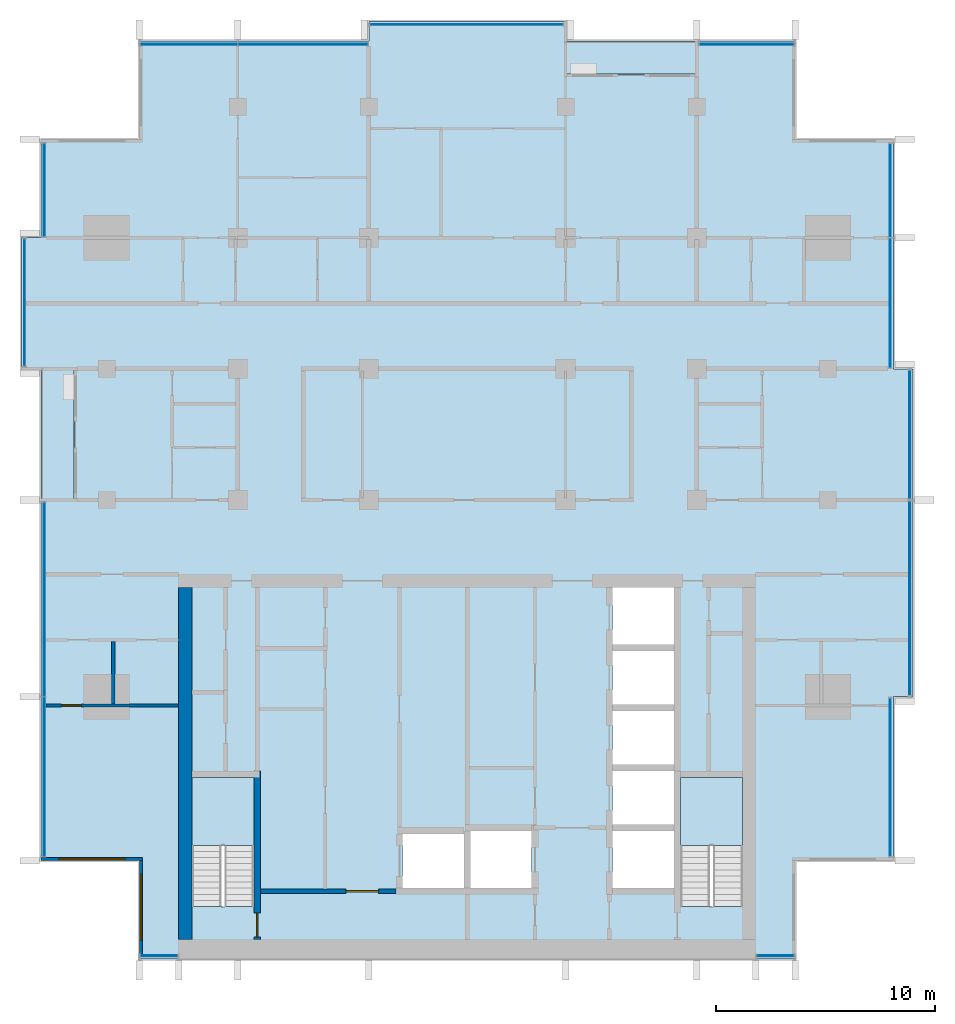
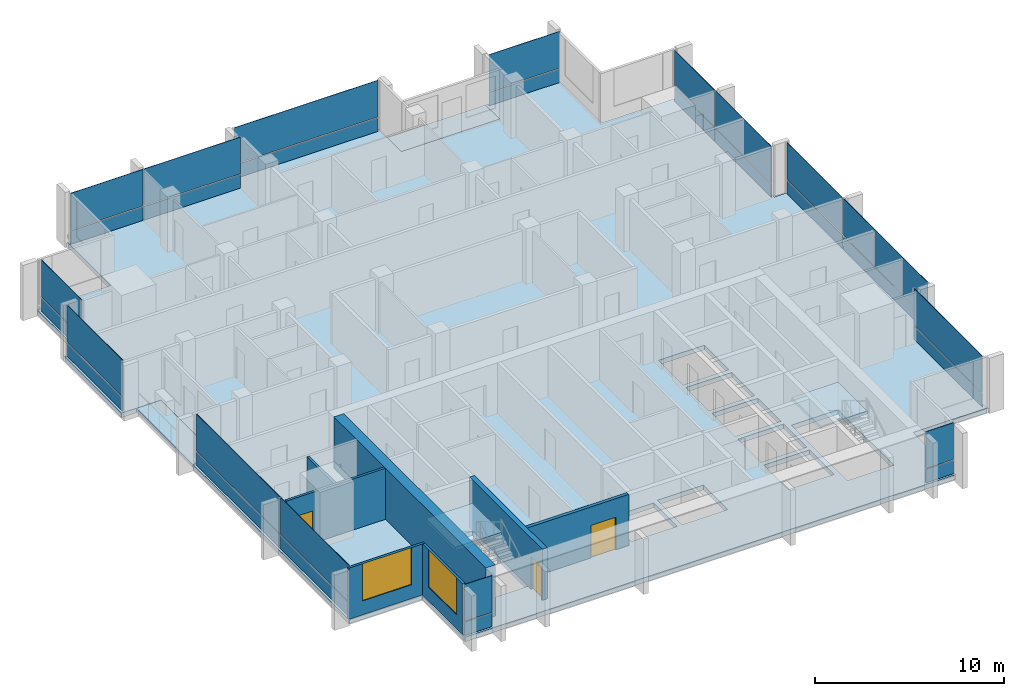
# One storey, part 6 of 16: 30 plates, 7 walls, 5 slabs, 3 doors, 2 windows, 5 openings, 14 elements without a shape of their own.
"""IFC4 building model written with IfcOpenShell, lengths in metres."""

from ifc_helpers import new_model, si_unit, direction, frame, frame_2d, origin, origin_2d, place, context, subcontext, project, spatial, polyline, rectangle, outline, extrude, material, layer, layer_set, type_object, element, fill, aggregate, save


model = new_model("IFC4")

# Units and contexts
model_context = context("Model", 3, precision=1e-05, world=origin(), true_north=direction((0.0, 1.0)))
body_context = subcontext(model_context, "Body", "Model", "MODEL_VIEW")
ifc_project = project(units=[si_unit("LENGTHUNIT", "METRE"), si_unit("AREAUNIT", "SQUARE_METRE"), si_unit("VOLUMEUNIT", "CUBIC_METRE"), si_unit("PLANEANGLEUNIT", "RADIAN"), si_unit("MASSUNIT", "GRAM", prefix="KILO")], contexts=[model_context])

# Site, building, storey
site_placement = place(None, origin())
site = spatial("IfcSite", under=ifc_project, at=site_placement, CompositionType="ELEMENT")
building_placement = place(site_placement, origin())
building = spatial("IfcBuilding", under=site, at=building_placement, Name="Finial Court Residences", CompositionType="ELEMENT")
storey_placement = place(building_placement, frame((0.0, 0.0, 233.89990234375)))
storey = spatial("IfcBuildingStorey", under=building, at=storey_placement, Name="L59", CompositionType="ELEMENT", Elevation=233.89990234375)

# Slabs
ifc_material_1 = material(Name="Concrete C35/45", Category="concrete")
ifc_layer_1 = layer(ifc_material_1, 0.199951171875)
ifc_layer_set_1 = layer_set([ifc_layer_1], Name="Balcony slab, Concrete C35/45 200")
slab_type_1 = type_object("IfcSlabType", Name="Balcony slab, Concrete C35/45 200", PredefinedType="FLOOR", material=ifc_layer_set_1)
slab_1_placement = place(storey_placement, frame((0.0, 0.0, -0.199951171875)))
element("IfcSlab", 1, at=slab_1_placement, inside=storey, type_object=slab_type_1, Name="Balcony L59-N4", PredefinedType="FLOOR", context=body_context, shape_type="SweptSolid", body=[
    extrude(outline(polyline([(10.5, 15.0), (10.5, 16.5), (4.5, 16.5), (4.5, 15.0), (10.5, 15.0)])), origin(), (0.0, 0.0, 1.0), 0.199951171875),
])
slab_2_placement = place(storey_placement, frame((0.0, 0.0, -0.199951171875)))
element("IfcSlab", 2, at=slab_2_placement, inside=storey, type_object=slab_type_1, Name="Balcony L59-W3", PredefinedType="FLOOR", context=body_context, shape_type="SweptSolid", body=[
    extrude(outline(polyline([(-18.0, -4.5), (-18.0, 1.5), (-19.5, 1.5), (-19.5, -4.5), (-18.0, -4.5)])), origin(), (0.0, 0.0, 1.0), 0.199951171875),
])

# Curtain wall, plates
ifc_material_2 = material(Name="Bronze anodised aluminium", Category="aluminium")
curtain_wall_type = type_object("IfcCurtainWallType", Name="Unitised curtain wall, upper zones", PredefinedType="NOTDEFINED", material=ifc_material_2)
curtain_wall_1_placement = place(storey_placement, origin())
curtain_wall_1 = element("IfcCurtainWall", 3, at=curtain_wall_1_placement, inside=storey, type_object=curtain_wall_type, Name="E-L59-CW-N1", PredefinedType="NOTDEFINED")
ifc_layer_2 = layer(ifc_material_2, 0.035888671875)
ifc_layer_set_2 = layer_set([ifc_layer_2], Name="CW2 spandrel panel 36")
plate_type_1 = type_object("IfcPlateType", Name="CW2 spandrel panel 36", PredefinedType="CURTAIN_PANEL", material=ifc_layer_set_2)
plate_1_placement = place(storey_placement, frame((-12.735107421875, 16.35009765625, 0.0), z_axis=(0.0, 0.0, 1.0), x_axis=(1.0, 0.0, 0.0)))
plate_1 = element("IfcPlate", 4, at=plate_1_placement, type_object=plate_type_1, Name="CW2 spandrel 1.1", PredefinedType="CURTAIN_PANEL", context=body_context, shape_type="SweptSolid", body=[
    extrude(rectangle(XDim=4.409912109375, YDim=0.035888671875, at=origin_2d()), origin(), (0.0, 0.0, 1.0), 0.8701171875),
])
plate_2_placement = place(storey_placement, frame((-7.514892578125, 16.35009765625, 0.0), z_axis=(0.0, 0.0, 1.0), x_axis=(1.0, 0.0, 0.0)))
plate_2 = element("IfcPlate", 5, at=plate_2_placement, type_object=plate_type_1, Name="CW2 spandrel 2.1", PredefinedType="CURTAIN_PANEL", context=body_context, shape_type="SweptSolid", body=[
    extrude(rectangle(XDim=5.909912109375, YDim=0.035888671875, at=origin_2d()), origin(), (0.0, 0.0, 1.0), 0.8701171875),
])

# Curtain wall, plate
curtain_wall_2_placement = place(storey_placement, origin())
curtain_wall_2 = element("IfcCurtainWall", 6, at=curtain_wall_2_placement, inside=storey, type_object=curtain_wall_type, Name="E-L59-CW-N2", PredefinedType="NOTDEFINED")
plate_3_placement = place(storey_placement, frame((-0.03759765625, 17.25, 0.0), z_axis=(0.0, 0.0, 1.0), x_axis=(1.0, 0.0, 0.0)))
plate_3 = element("IfcPlate", 7, at=plate_3_placement, type_object=plate_type_1, Name="CW2 spandrel 1.1", PredefinedType="CURTAIN_PANEL", context=body_context, shape_type="SweptSolid", body=[
    extrude(rectangle(XDim=8.804931640625, YDim=0.035888671875, at=origin_2d()), origin(), (0.0, 0.0, 1.0), 0.8701171875),
])

curtain_wall_3_placement = place(storey_placement, origin())
curtain_wall_3 = element("IfcCurtainWall", 8, at=curtain_wall_3_placement, inside=storey, type_object=curtain_wall_type, Name="E-L59-CW-N3", PredefinedType="NOTDEFINED")
plate_4_placement = place(storey_placement, frame((12.78759765625, 16.35009765625, 0.0), z_axis=(0.0, 0.0, 1.0), x_axis=(1.0, 0.0, 0.0)))
plate_4 = element("IfcPlate", 9, at=plate_4_placement, type_object=plate_type_1, Name="CW2 spandrel 1.1", PredefinedType="CURTAIN_PANEL", context=body_context, shape_type="SweptSolid", body=[
    extrude(rectangle(XDim=4.304931640625, YDim=0.035888671875, at=origin_2d()), origin(), (0.0, 0.0, 1.0), 0.8701171875),
])

curtain_wall_4_placement = place(storey_placement, origin())
curtain_wall_4 = element("IfcCurtainWall", 10, at=curtain_wall_4_placement, inside=storey, type_object=curtain_wall_type, Name="E-L59-CW-E4", PredefinedType="NOTDEFINED")
plate_5_placement = place(storey_placement, frame((19.35009765625, -17.175048828125, 0.0), z_axis=(0.0, 0.0, 1.0), x_axis=(0.0, 1.0, 0.0)))
plate_5 = element("IfcPlate", 11, at=plate_5_placement, type_object=plate_type_1, Name="CW2 spandrel 1.1", PredefinedType="CURTAIN_PANEL", context=body_context, shape_type="SweptSolid", body=[
    extrude(rectangle(XDim=7.22998046875, YDim=0.035888671875, at=origin_2d()), origin(), (0.0, 0.0, 1.0), 0.8701171875),
])

curtain_wall_5_placement = place(storey_placement, origin())
curtain_wall_5 = element("IfcCurtainWall", 12, at=curtain_wall_5_placement, inside=storey, type_object=curtain_wall_type, Name="E-L59-CW-E5", PredefinedType="NOTDEFINED")
plate_6_placement = place(storey_placement, frame((20.25, -9.0, 0.0), z_axis=(0.0, 0.0, 1.0), x_axis=(0.0, 1.0, 0.0)))
plate_6 = element("IfcPlate", 13, at=plate_6_placement, type_object=plate_type_1, Name="CW2 spandrel 1.1", PredefinedType="CURTAIN_PANEL", context=body_context, shape_type="SweptSolid", body=[
    extrude(rectangle(XDim=8.8798828125, YDim=0.035888671875, at=origin_2d()), origin(), (0.0, 0.0, 1.0), 0.8701171875),
])

curtain_wall_6_placement = place(storey_placement, origin())
curtain_wall_6 = element("IfcCurtainWall", 14, at=curtain_wall_6_placement, inside=storey, type_object=curtain_wall_type, Name="E-L59-CW-E6", PredefinedType="NOTDEFINED")
plate_7_placement = place(storey_placement, frame((20.25, -1.5, 0.0), z_axis=(0.0, 0.0, 1.0), x_axis=(0.0, 1.0, 0.0)))
plate_7 = element("IfcPlate", 15, at=plate_7_placement, type_object=plate_type_1, Name="CW2 spandrel 1.1", PredefinedType="CURTAIN_PANEL", context=body_context, shape_type="SweptSolid", body=[
    extrude(rectangle(XDim=5.8798828125, YDim=0.035888671875, at=origin_2d()), origin(), (0.0, 0.0, 1.0), 0.8701171875),
])

# Curtain wall, plates
curtain_wall_7_placement = place(storey_placement, origin())
curtain_wall_7 = element("IfcCurtainWall", 16, at=curtain_wall_7_placement, inside=storey, type_object=curtain_wall_type, Name="E-L59-CW-E7", PredefinedType="NOTDEFINED")
plate_8_placement = place(storey_placement, frame((19.35009765625, 4.514892578125, 0.0), z_axis=(0.0, 0.0, 1.0), x_axis=(0.0, 1.0, 0.0)))
plate_8 = element("IfcPlate", 17, at=plate_8_placement, type_object=plate_type_1, Name="CW2 spandrel 1.1", PredefinedType="CURTAIN_PANEL", context=body_context, shape_type="SweptSolid", body=[
    extrude(rectangle(XDim=5.909912109375, YDim=0.035888671875, at=origin_2d()), origin(), (0.0, 0.0, 1.0), 0.8701171875),
])
plate_9_placement = place(storey_placement, frame((19.35009765625, 9.659912109375, 0.0), z_axis=(0.0, 0.0, 1.0), x_axis=(0.0, 1.0, 0.0)))
plate_9 = element("IfcPlate", 18, at=plate_9_placement, type_object=plate_type_1, Name="CW2 spandrel 2.1", PredefinedType="CURTAIN_PANEL", context=body_context, shape_type="SweptSolid", body=[
    extrude(rectangle(XDim=4.260009765625, YDim=0.035888671875, at=origin_2d()), origin(), (0.0, 0.0, 1.0), 0.8701171875),
])

# Curtain wall, plate
curtain_wall_8_placement = place(storey_placement, origin())
curtain_wall_8 = element("IfcCurtainWall", 19, at=curtain_wall_8_placement, inside=storey, type_object=curtain_wall_type, Name="E-L59-CW-S8", PredefinedType="NOTDEFINED")
plate_10_placement = place(storey_placement, frame((-14.10009765625, -25.35009765625, 0.0), z_axis=(0.0, 0.0, 1.0), x_axis=(1.0, 0.0, 0.0)))
plate_10 = element("IfcPlate", 20, at=plate_10_placement, type_object=plate_type_1, Name="CW2 spandrel 1.1", PredefinedType="CURTAIN_PANEL", context=body_context, shape_type="SweptSolid", body=[
    extrude(rectangle(XDim=1.679931640625, YDim=0.035888671875, at=origin_2d()), origin(), (0.0, 0.0, 1.0), 0.8701171875),
])

curtain_wall_9_placement = place(storey_placement, origin())
curtain_wall_9 = element("IfcCurtainWall", 21, at=curtain_wall_9_placement, inside=storey, type_object=curtain_wall_type, Name="E-L59-CW-S9", PredefinedType="NOTDEFINED")
plate_11_placement = place(storey_placement, frame((14.10009765625, -25.35009765625, 0.0), z_axis=(0.0, 0.0, 1.0), x_axis=(1.0, 0.0, 0.0)))
plate_11 = element("IfcPlate", 22, at=plate_11_placement, type_object=plate_type_1, Name="CW2 spandrel 1.1", PredefinedType="CURTAIN_PANEL", context=body_context, shape_type="SweptSolid", body=[
    extrude(rectangle(XDim=1.679931640625, YDim=0.035888671875, at=origin_2d()), origin(), (0.0, 0.0, 1.0), 0.8701171875),
])

# Curtain wall, plates
curtain_wall_10_placement = place(storey_placement, origin())
curtain_wall_10 = element("IfcCurtainWall", 23, at=curtain_wall_10_placement, inside=storey, type_object=curtain_wall_type, Name="E-L59-CW-W10", PredefinedType="NOTDEFINED")
plate_12_placement = place(storey_placement, frame((-19.35009765625, -17.159912109375, 0.0), z_axis=(0.0, 0.0, 1.0), x_axis=(0.0, 1.0, 0.0)))
plate_12 = element("IfcPlate", 24, at=plate_12_placement, type_object=plate_type_1, Name="CW2 spandrel 1.1", PredefinedType="CURTAIN_PANEL", context=body_context, shape_type="SweptSolid", body=[
    extrude(rectangle(XDim=7.260009765625, YDim=0.035888671875, at=origin_2d()), origin(), (0.0, 0.0, 1.0), 0.8701171875),
])
plate_13_placement = place(storey_placement, frame((-19.35009765625, -9.052490234375, 0.0), z_axis=(0.0, 0.0, 1.0), x_axis=(0.0, 1.0, 0.0)))
plate_13 = element("IfcPlate", 25, at=plate_13_placement, type_object=plate_type_1, Name="CW2 spandrel 2.1", PredefinedType="CURTAIN_PANEL", context=body_context, shape_type="SweptSolid", body=[
    extrude(rectangle(XDim=8.8349609375, YDim=0.035888671875, at=origin_2d()), origin(), (0.0, 0.0, 1.0), 0.8701171875),
])

# Curtain wall, plate
curtain_wall_11_placement = place(storey_placement, origin())
curtain_wall_11 = element("IfcCurtainWall", 26, at=curtain_wall_11_placement, inside=storey, type_object=curtain_wall_type, Name="E-L59-CW-W11", PredefinedType="NOTDEFINED")
plate_14_placement = place(storey_placement, frame((-20.25, 4.53759765625, 0.0), z_axis=(0.0, 0.0, 1.0), x_axis=(0.0, 1.0, 0.0)))
plate_14 = element("IfcPlate", 27, at=plate_14_placement, type_object=plate_type_1, Name="CW2 spandrel 1.1", PredefinedType="CURTAIN_PANEL", context=body_context, shape_type="SweptSolid", body=[
    extrude(rectangle(XDim=5.804931640625, YDim=0.035888671875, at=origin_2d()), origin(), (0.0, 0.0, 1.0), 0.8701171875),
])

curtain_wall_12_placement = place(storey_placement, origin())
curtain_wall_12 = element("IfcCurtainWall", 28, at=curtain_wall_12_placement, inside=storey, type_object=curtain_wall_type, Name="E-L59-CW-W12", PredefinedType="NOTDEFINED")
plate_15_placement = place(storey_placement, frame((-19.35009765625, 9.675048828125, 0.0), z_axis=(0.0, 0.0, 1.0), x_axis=(0.0, 1.0, 0.0)))
plate_15 = element("IfcPlate", 29, at=plate_15_placement, type_object=plate_type_1, Name="CW2 spandrel 1.1", PredefinedType="CURTAIN_PANEL", context=body_context, shape_type="SweptSolid", body=[
    extrude(rectangle(XDim=4.22998046875, YDim=0.035888671875, at=origin_2d()), origin(), (0.0, 0.0, 1.0), 0.8701171875),
])

# Plate
ifc_material_3 = material(Name="Clear low-e glass", Category="glass")
ifc_layer_3 = layer(ifc_material_3, 0.030029296875)
ifc_layer_set_3 = layer_set([ifc_layer_3], Name="CW2 vision glass 30")
plate_type_2 = type_object("IfcPlateType", Name="CW2 vision glass 30", PredefinedType="CURTAIN_PANEL", material=ifc_layer_set_3)
plate_16_placement = place(storey_placement, frame((-12.735107421875, 16.35009765625, 0.929931640625), z_axis=(0.0, 0.0, 1.0), x_axis=(1.0, 0.0, 0.0)))
plate_16 = element("IfcPlate", 30, at=plate_16_placement, type_object=plate_type_2, Name="CW2 glass 1.2", PredefinedType="CURTAIN_PANEL", context=body_context, shape_type="SweptSolid", body=[
    extrude(rectangle(XDim=4.409912109375, YDim=0.030029296875, at=origin_2d()), origin(), (0.0, 0.0, 1.0), 2.3701171875),
])

plate_17_placement = place(storey_placement, frame((-7.514892578125, 16.35009765625, 0.929931640625), z_axis=(0.0, 0.0, 1.0), x_axis=(1.0, 0.0, 0.0)))
plate_17 = element("IfcPlate", 31, at=plate_17_placement, type_object=plate_type_2, Name="CW2 glass 2.2", PredefinedType="CURTAIN_PANEL", context=body_context, shape_type="SweptSolid", body=[
    extrude(rectangle(XDim=5.909912109375, YDim=0.030029296875, at=origin_2d()), origin(), (0.0, 0.0, 1.0), 2.3701171875),
])

aggregate(curtain_wall_1, [plate_1, plate_16, plate_2, plate_17])

plate_18_placement = place(storey_placement, frame((-0.03759765625, 17.25, 0.929931640625), z_axis=(0.0, 0.0, 1.0), x_axis=(1.0, 0.0, 0.0)))
plate_18 = element("IfcPlate", 32, at=plate_18_placement, type_object=plate_type_2, Name="CW2 glass 1.2", PredefinedType="CURTAIN_PANEL", context=body_context, shape_type="SweptSolid", body=[
    extrude(rectangle(XDim=8.804931640625, YDim=0.030029296875, at=origin_2d()), origin(), (0.0, 0.0, 1.0), 2.3701171875),
])

aggregate(curtain_wall_2, [plate_3, plate_18])

plate_19_placement = place(storey_placement, frame((12.78759765625, 16.35009765625, 0.929931640625), z_axis=(0.0, 0.0, 1.0), x_axis=(1.0, 0.0, 0.0)))
plate_19 = element("IfcPlate", 33, at=plate_19_placement, type_object=plate_type_2, Name="CW2 glass 1.2", PredefinedType="CURTAIN_PANEL", context=body_context, shape_type="SweptSolid", body=[
    extrude(rectangle(XDim=4.304931640625, YDim=0.030029296875, at=origin_2d()), origin(), (0.0, 0.0, 1.0), 2.3701171875),
])

aggregate(curtain_wall_3, [plate_4, plate_19])

plate_20_placement = place(storey_placement, frame((19.35009765625, -17.175048828125, 0.929931640625), z_axis=(0.0, 0.0, 1.0), x_axis=(0.0, 1.0, 0.0)))
plate_20 = element("IfcPlate", 34, at=plate_20_placement, type_object=plate_type_2, Name="CW2 glass 1.2", PredefinedType="CURTAIN_PANEL", context=body_context, shape_type="SweptSolid", body=[
    extrude(rectangle(XDim=7.22998046875, YDim=0.030029296875, at=origin_2d()), origin(), (0.0, 0.0, 1.0), 2.3701171875),
])

aggregate(curtain_wall_4, [plate_5, plate_20])

plate_21_placement = place(storey_placement, frame((20.25, -9.0, 0.929931640625), z_axis=(0.0, 0.0, 1.0), x_axis=(0.0, 1.0, 0.0)))
plate_21 = element("IfcPlate", 35, at=plate_21_placement, type_object=plate_type_2, Name="CW2 glass 1.2", PredefinedType="CURTAIN_PANEL", context=body_context, shape_type="SweptSolid", body=[
    extrude(rectangle(XDim=8.8798828125, YDim=0.030029296875, at=origin_2d()), origin(), (0.0, 0.0, 1.0), 2.3701171875),
])

aggregate(curtain_wall_5, [plate_6, plate_21])

plate_22_placement = place(storey_placement, frame((20.25, -1.5, 0.929931640625), z_axis=(0.0, 0.0, 1.0), x_axis=(0.0, 1.0, 0.0)))
plate_22 = element("IfcPlate", 36, at=plate_22_placement, type_object=plate_type_2, Name="CW2 glass 1.2", PredefinedType="CURTAIN_PANEL", context=body_context, shape_type="SweptSolid", body=[
    extrude(rectangle(XDim=5.8798828125, YDim=0.030029296875, at=origin_2d()), origin(), (0.0, 0.0, 1.0), 2.3701171875),
])

aggregate(curtain_wall_6, [plate_7, plate_22])

plate_23_placement = place(storey_placement, frame((19.35009765625, 4.514892578125, 0.929931640625), z_axis=(0.0, 0.0, 1.0), x_axis=(0.0, 1.0, 0.0)))
plate_23 = element("IfcPlate", 37, at=plate_23_placement, type_object=plate_type_2, Name="CW2 glass 1.2", PredefinedType="CURTAIN_PANEL", context=body_context, shape_type="SweptSolid", body=[
    extrude(rectangle(XDim=5.909912109375, YDim=0.030029296875, at=origin_2d()), origin(), (0.0, 0.0, 1.0), 2.3701171875),
])

plate_24_placement = place(storey_placement, frame((19.35009765625, 9.659912109375, 0.929931640625), z_axis=(0.0, 0.0, 1.0), x_axis=(0.0, 1.0, 0.0)))
plate_24 = element("IfcPlate", 38, at=plate_24_placement, type_object=plate_type_2, Name="CW2 glass 2.2", PredefinedType="CURTAIN_PANEL", context=body_context, shape_type="SweptSolid", body=[
    extrude(rectangle(XDim=4.260009765625, YDim=0.030029296875, at=origin_2d()), origin(), (0.0, 0.0, 1.0), 2.3701171875),
])

aggregate(curtain_wall_7, [plate_8, plate_23, plate_9, plate_24])

plate_25_placement = place(storey_placement, frame((-14.10009765625, -25.35009765625, 0.929931640625), z_axis=(0.0, 0.0, 1.0), x_axis=(1.0, 0.0, 0.0)))
plate_25 = element("IfcPlate", 39, at=plate_25_placement, type_object=plate_type_2, Name="CW2 glass 1.2", PredefinedType="CURTAIN_PANEL", context=body_context, shape_type="SweptSolid", body=[
    extrude(rectangle(XDim=1.679931640625, YDim=0.030029296875, at=origin_2d()), origin(), (0.0, 0.0, 1.0), 2.3701171875),
])

aggregate(curtain_wall_8, [plate_10, plate_25])

plate_26_placement = place(storey_placement, frame((14.10009765625, -25.35009765625, 0.929931640625), z_axis=(0.0, 0.0, 1.0), x_axis=(1.0, 0.0, 0.0)))
plate_26 = element("IfcPlate", 40, at=plate_26_placement, type_object=plate_type_2, Name="CW2 glass 1.2", PredefinedType="CURTAIN_PANEL", context=body_context, shape_type="SweptSolid", body=[
    extrude(rectangle(XDim=1.679931640625, YDim=0.030029296875, at=origin_2d()), origin(), (0.0, 0.0, 1.0), 2.3701171875),
])

aggregate(curtain_wall_9, [plate_11, plate_26])

plate_27_placement = place(storey_placement, frame((-19.35009765625, -17.159912109375, 0.929931640625), z_axis=(0.0, 0.0, 1.0), x_axis=(0.0, 1.0, 0.0)))
plate_27 = element("IfcPlate", 41, at=plate_27_placement, type_object=plate_type_2, Name="CW2 glass 1.2", PredefinedType="CURTAIN_PANEL", context=body_context, shape_type="SweptSolid", body=[
    extrude(rectangle(XDim=7.260009765625, YDim=0.030029296875, at=origin_2d()), origin(), (0.0, 0.0, 1.0), 2.3701171875),
])

plate_28_placement = place(storey_placement, frame((-19.35009765625, -9.052490234375, 0.929931640625), z_axis=(0.0, 0.0, 1.0), x_axis=(0.0, 1.0, 0.0)))
plate_28 = element("IfcPlate", 42, at=plate_28_placement, type_object=plate_type_2, Name="CW2 glass 2.2", PredefinedType="CURTAIN_PANEL", context=body_context, shape_type="SweptSolid", body=[
    extrude(rectangle(XDim=8.8349609375, YDim=0.030029296875, at=origin_2d()), origin(), (0.0, 0.0, 1.0), 2.3701171875),
])

aggregate(curtain_wall_10, [plate_12, plate_27, plate_13, plate_28])

plate_29_placement = place(storey_placement, frame((-20.25, 4.53759765625, 0.929931640625), z_axis=(0.0, 0.0, 1.0), x_axis=(0.0, 1.0, 0.0)))
plate_29 = element("IfcPlate", 43, at=plate_29_placement, type_object=plate_type_2, Name="CW2 glass 1.2", PredefinedType="CURTAIN_PANEL", context=body_context, shape_type="SweptSolid", body=[
    extrude(rectangle(XDim=5.804931640625, YDim=0.030029296875, at=origin_2d()), origin(), (0.0, 0.0, 1.0), 2.3701171875),
])

aggregate(curtain_wall_11, [plate_14, plate_29])

plate_30_placement = place(storey_placement, frame((-19.35009765625, 9.675048828125, 0.929931640625), z_axis=(0.0, 0.0, 1.0), x_axis=(0.0, 1.0, 0.0)))
plate_30 = element("IfcPlate", 44, at=plate_30_placement, type_object=plate_type_2, Name="CW2 glass 1.2", PredefinedType="CURTAIN_PANEL", context=body_context, shape_type="SweptSolid", body=[
    extrude(rectangle(XDim=4.22998046875, YDim=0.030029296875, at=origin_2d()), origin(), (0.0, 0.0, 1.0), 2.3701171875),
])

aggregate(curtain_wall_12, [plate_15, plate_30])

# Stair, slab
ifc_material_4 = material(Name="Concrete C50/60", Category="concrete")
stair_type = type_object("IfcStairType", Name="Exit stair 22 risers of 163.6 mm", PredefinedType="HALF_TURN_STAIR", material=ifc_material_4)
stair_1_placement = place(storey_placement, origin())
stair_1 = element("IfcStair", 45, at=stair_1_placement, inside=storey, type_object=stair_type, Name="L59 Exit stair ST-1", PredefinedType="HALF_TURN_STAIR")
ifc_layer_4 = layer(ifc_material_4, 0.199951171875)
ifc_layer_set_4 = layer_set([ifc_layer_4], Name="Exit stair landing")
slab_type_2 = type_object("IfcSlabType", Name="Exit stair landing", PredefinedType="LANDING", material=ifc_layer_set_4)
slab_3_placement = place(storey_placement, frame((0.0, 0.0, 1.60009765625)))
slab_3 = element("IfcSlab", 46, at=slab_3_placement, type_object=slab_type_2, Name="ST-1 landing 1", PredefinedType="LANDING", context=body_context, shape_type="SweptSolid", body=[
    extrude(outline(polyline([(-9.75, -20.300048828125), (-9.75, -17.199951171875), (-12.60009765625, -17.199951171875), (-12.60009765625, -20.300048828125), (-9.75, -20.300048828125)])), origin(), (0.0, 0.0, 1.0), 0.199951171875),
])
aggregate(stair_1, [slab_3])

stair_2_placement = place(storey_placement, origin())
stair_2 = element("IfcStair", 47, at=stair_2_placement, inside=storey, type_object=stair_type, Name="L59 Exit stair ST-2", PredefinedType="HALF_TURN_STAIR")
slab_4_placement = place(storey_placement, frame((0.0, 0.0, 1.60009765625)))
slab_4 = element("IfcSlab", 48, at=slab_4_placement, type_object=slab_type_2, Name="ST-2 landing 1", PredefinedType="LANDING", context=body_context, shape_type="SweptSolid", body=[
    extrude(outline(polyline([(12.60009765625, -20.300048828125), (12.60009765625, -17.199951171875), (9.75, -17.199951171875), (9.75, -20.300048828125), (12.60009765625, -20.300048828125)])), origin(), (0.0, 0.0, 1.0), 0.199951171875),
])
aggregate(stair_2, [slab_4])

# Slab
ifc_material_5 = material(Name="Concrete C40/50", Category="concrete")
ifc_layer_5 = layer(ifc_material_5, 0.300048828125)
ifc_layer_set_5 = layer_set([ifc_layer_5], Name="Flat plate slab 300 Concrete C40/50")
slab_type_3 = type_object("IfcSlabType", Name="Flat plate slab 300 Concrete C40/50", PredefinedType="FLOOR", material=ifc_layer_set_5)
slab_5_placement = place(storey_placement, frame((0.0, 0.0, -0.2998046875)))
element("IfcSlab", 49, at=slab_5_placement, inside=storey, type_object=slab_type_3, Name="S:SLAB:L59", PredefinedType="FLOOR", context=body_context, shape_type="SweptSolid", body=[
    extrude(outline(polyline([(19.5, -21.0), (15.0, -21.0), (15.0, -25.5), (-15.0, -25.5), (-15.0, -21.0), (-19.5, -21.0), (-19.5, -4.5), (-18.0, -4.5), (-18.0, 1.5), (-19.5, 1.5), (-20.39990234375, 1.5), (-20.39990234375, 7.5), (-19.5, 7.5), (-19.5, 12.0), (-15.0, 12.0), (-15.0, 16.5), (-4.5, 16.5), (-4.5, 17.39990234375), (4.5, 17.39990234375), (4.5, 16.5), (4.5, 15.0), (10.5, 15.0), (10.5, 16.5), (15.0, 16.5), (15.0, 12.0), (19.5, 12.0), (19.5, 1.5), (20.39990234375, 1.5), (20.39990234375, -4.5), (20.39990234375, -13.5), (19.5, -13.5), (19.5, -21.0)]), holes=[polyline([(-0.14990234375, -19.77001953125), (-2.949951171875, -19.77001953125), (-2.949951171875, -22.25), (-0.14990234375, -22.25), (-0.14990234375, -19.77001953125)]), polyline([(2.949951171875, -19.64990234375), (0.14990234375, -19.64990234375), (0.14990234375, -22.25), (2.949951171875, -22.25), (2.949951171875, -19.64990234375)]), polyline([(9.449951171875, -19.64990234375), (6.64990234375, -19.64990234375), (6.64990234375, -22.25), (9.449951171875, -22.25), (9.449951171875, -19.64990234375)]), polyline([(-12.60009765625, -17.199951171875), (-12.60009765625, -23.09912109375), (-9.75, -23.09912109375), (-9.75, -17.199951171875), (-12.60009765625, -17.199951171875)]), polyline([(9.75, -17.199951171875), (9.75, -23.09912109375), (12.60009765625, -23.09912109375), (12.60009765625, -17.199951171875), (9.75, -17.199951171875)]), polyline([(9.449951171875, -16.89990234375), (6.64990234375, -16.89990234375), (6.64990234375, -19.35009765625), (9.449951171875, -19.35009765625), (9.449951171875, -16.89990234375)]), polyline([(9.449951171875, -14.14990234375), (6.64990234375, -14.14990234375), (6.64990234375, -16.60009765625), (9.449951171875, -16.60009765625), (9.449951171875, -14.14990234375)]), polyline([(9.449951171875, -13.85009765625), (9.449951171875, -11.39990234375), (6.64990234375, -11.39990234375), (6.64990234375, -13.85009765625), (9.449951171875, -13.85009765625)]), polyline([(9.449951171875, -11.10009765625), (9.449951171875, -8.5), (6.64990234375, -8.5), (6.64990234375, -11.10009765625), (9.449951171875, -11.10009765625)])]), origin(), (0.0, 0.0, 1.0), 0.2998046875),
])

# Wall
ifc_material_6 = material(Name="Concrete C60/75", Category="concrete")
ifc_layer_6 = layer(ifc_material_6, 0.60009765625)
ifc_layer_set_6 = layer_set([ifc_layer_6], Name="Core outer wall 600 Concrete C60/75")
wall_type_1 = type_object("IfcWallType", Name="Core outer wall 600 Concrete C60/75", PredefinedType="SHEAR", material=ifc_layer_set_6)
wall_1_placement = place(storey_placement, frame((-12.89990234375, -24.60009765625, 0.0), z_axis=(0.0, 0.0, 1.0), x_axis=(0.0, 1.0, 0.0)))
element("IfcWall", 50, at=wall_1_placement, inside=storey, type_object=wall_type_1, Name="Core outer wall L59-03", PredefinedType="SHEAR", context=body_context, shape_type="SweptSolid", body=[
    extrude(rectangle(XDim=16.10009765625, YDim=0.60009765625, at=frame_2d((8.050048828125, 0.0))), origin(), (0.0, 0.0, 1.0), 3.300048828125),
])

# Wall, opening, door
ifc_material_7 = material(Name="Moisture-resistant gypsum board")
ifc_layer_7 = layer(ifc_material_7, 0.012451171875)
ifc_material_8 = material(Name="Mineral wool in light-gauge frame")
ifc_layer_8 = layer(ifc_material_8, 0.125)
ifc_layer_9 = layer(ifc_material_7, 0.012451171875)
ifc_layer_set_7 = layer_set([ifc_layer_7, ifc_layer_8, ifc_layer_9], Name="Gypsum board wet-area partition 150")
wall_type_2 = type_object("IfcWallType", Name="Gypsum board wet-area partition 150", PredefinedType="PARTITIONING", material=ifc_layer_set_7)
wall_2_placement = place(storey_placement, frame((-19.262451171875, -13.89990234375, 0.0), z_axis=(0.0, 0.0, 1.0), x_axis=(1.0, 0.0, 0.0)))
wall_2 = element("IfcWall", 51, at=wall_2_placement, inside=storey, type_object=wall_type_2, Name="Partition L59-000", PredefinedType="PARTITIONING", context=body_context, shape_type="SweptSolid", body=[
    extrude(rectangle(XDim=6.0625, YDim=0.14990234375, at=frame_2d((3.03125, 0.0))), origin(), (0.0, 0.0, 1.0), 3.300048828125),
])
opening_1_placement = place(wall_2_placement, frame((0.7119140625, 0.0, 0.0)))
opening_1 = element("IfcOpeningElement", 52, at=opening_1_placement, cuts=wall_2, Name="Opening L59-D001", PredefinedType="OPENING", context=body_context, shape_type="SweptSolid", body=[
    extrude(rectangle(XDim=0.89990234375, YDim=2.10009765625, at=frame_2d((0.449951171875, 1.050048828125))), frame((0.0, 0.0849609375, 0.0), z_axis=(0.0, -1.0, 0.0), x_axis=(1.0, 0.0, 0.0)), (0.0, 0.0, 1.0), 0.169921875),
])
ifc_material_9 = material(Name="Timber door leaf in timber frame", Category="wood")
door_type_1 = type_object("IfcDoorType", Name="Door set 900 x 2100", OperationType="SINGLE_SWING_LEFT", PredefinedType="DOOR", material=ifc_material_9)
door_1_placement = place(opening_1_placement, origin())
door_1 = element("IfcDoor", 53, at=door_1_placement, inside=storey, type_object=door_type_1, Name="Door L59-D001", OperationType="SINGLE_SWING_LEFT", OverallHeight=2.10009765625, OverallWidth=0.89990234375, PredefinedType="DOOR", context=body_context, shape_type="SweptSolid", body=[
    extrude(rectangle(XDim=0.89990234375, YDim=2.10009765625, at=frame_2d((0.449951171875, 1.050048828125))), frame((0.0, 0.02490234375, 0.0), z_axis=(0.0, -1.0, 0.0), x_axis=(1.0, 0.0, 0.0)), (0.0, 0.0, 1.0), 0.050048828125),
])
fill(opening_1, door_1)

# Wall
wall_3_placement = place(storey_placement, frame((-16.199951171875, -13.824951171875, 0.0), z_axis=(0.0, 0.0, 1.0), x_axis=(0.0, 1.0, 0.0)))
element("IfcWall", 54, at=wall_3_placement, inside=storey, type_object=wall_type_2, Name="Partition L59-029", PredefinedType="PARTITIONING", context=body_context, shape_type="SweptSolid", body=[
    extrude(rectangle(XDim=2.849853515625, YDim=0.14990234375, at=frame_2d((1.4248046875, 0.0))), origin(), (0.0, 0.0, 1.0), 3.300048828125),
])

# Wall, opening, door
ifc_layer_10 = layer(ifc_material_6, 0.300048828125)
ifc_layer_set_8 = layer_set([ifc_layer_10], Name="Lift shaft and stair wall 300 Concrete C60/75")
wall_type_3 = type_object("IfcWallType", Name="Lift shaft and stair wall 300 Concrete C60/75", PredefinedType="SHEAR", material=ifc_layer_set_8)
wall_4_placement = place(storey_placement, frame((-9.60009765625, -24.60009765625, 0.0), z_axis=(0.0, 0.0, 1.0), x_axis=(0.0, 1.0, 0.0)))
wall_4 = element("IfcWall", 55, at=wall_4_placement, inside=storey, type_object=wall_type_3, Name="Core wall L59-20", PredefinedType="SHEAR", context=body_context, shape_type="SweptSolid", body=[
    extrude(rectangle(XDim=7.7001953125, YDim=0.300048828125, at=frame_2d((3.85009765625, 0.0))), origin(), (0.0, 0.0, 1.0), 3.300048828125),
])
opening_2_placement = place(wall_4_placement, frame((0.10009765625, 0.0, 0.0)))
opening_2 = element("IfcOpeningElement", 56, at=opening_2_placement, cuts=wall_4, Name="Opening L59-C19", PredefinedType="OPENING", context=body_context, shape_type="SweptSolid", body=[
    extrude(rectangle(XDim=1.10009765625, YDim=2.10009765625, at=frame_2d((0.550048828125, 1.050048828125))), frame((0.0, 0.159912109375, 0.0), z_axis=(0.0, -1.0, 0.0), x_axis=(1.0, 0.0, 0.0)), (0.0, 0.0, 1.0), 0.320068359375),
])
ifc_material_10 = material(Name="Steel fire door", Category="steel")
door_type_2 = type_object("IfcDoorType", Name="Stair door 1100 x 2100 EI 90", OperationType="NOTDEFINED", PredefinedType="DOOR", material=ifc_material_10)
door_2_placement = place(opening_2_placement, origin())
door_2 = element("IfcDoor", 57, at=door_2_placement, inside=storey, type_object=door_type_2, Name="Stair door L59-C19", OperationType="SINGLE_SWING_LEFT", OverallHeight=2.10009765625, OverallWidth=1.10009765625, PredefinedType="DOOR", context=body_context, shape_type="SweptSolid", body=[
    extrude(rectangle(XDim=1.10009765625, YDim=2.10009765625, at=frame_2d((0.550048828125, 1.050048828125))), frame((0.0, 0.02490234375, 0.0), z_axis=(0.0, -1.0, 0.0), x_axis=(1.0, 0.0, 0.0)), (0.0, 0.0, 1.0), 0.050048828125),
])
fill(opening_2, door_2)

# Wall, opening, window
ifc_material_11 = material(Name="Natural limestone", Category="masonry")
ifc_layer_11 = layer(ifc_material_11, 0.14990234375)
ifc_layer_set_9 = layer_set([ifc_layer_11], Name="Limestone clad wall 150")
wall_type_4 = type_object("IfcWallType", Name="Limestone clad wall 150", PredefinedType="SOLIDWALL", material=ifc_layer_set_9)
wall_5_placement = place(storey_placement, frame((-14.925048828125, -25.262451171875, 0.0), z_axis=(0.0, 0.0, 1.0), x_axis=(0.0, 1.0, 0.0)))
wall_5 = element("IfcWall", 58, at=wall_5_placement, inside=storey, type_object=wall_type_4, Name="E-L59-NWW13", PredefinedType="SOLIDWALL", context=body_context, shape_type="SweptSolid", body=[
    extrude(rectangle(XDim=4.262451171875, YDim=0.14990234375, at=frame_2d((2.13134765625, 0.0))), origin(), (0.0, 0.0, 1.0), 3.300048828125),
])
opening_3_placement = place(wall_5_placement, frame((0.631103515625, 0.0, 0.89990234375)))
opening_3 = element("IfcOpeningElement", 59, at=opening_3_placement, cuts=wall_5, Name="Opening WE59-01", PredefinedType="OPENING", context=body_context, shape_type="SweptSolid", body=[
    extrude(rectangle(XDim=3.0, YDim=2.39990234375, at=frame_2d((1.5, 1.199951171875))), frame((0.0, 0.0849609375, 0.0), z_axis=(0.0, -1.0, 0.0), x_axis=(1.0, 0.0, 0.0)), (0.0, 0.0, 1.0), 0.169921875),
])
window_type = type_object("IfcWindowType", Name="Corner window 3000 x 2400", PartitioningType="SINGLE_PANEL", PredefinedType="WINDOW", material=ifc_material_3)
window_1_placement = place(opening_3_placement, origin())
window_1 = element("IfcWindow", 60, at=window_1_placement, inside=storey, type_object=window_type, Name="E-L59-NWW13-W1", OverallHeight=2.39990234375, OverallWidth=3.0, PartitioningType="SINGLE_PANEL", PredefinedType="WINDOW", context=body_context, shape_type="SweptSolid", body=[
    extrude(rectangle(XDim=3.0, YDim=2.39990234375, at=frame_2d((1.5, 1.199951171875))), frame((0.0, 0.030029296875, 0.0), z_axis=(0.0, -1.0, 0.0), x_axis=(1.0, 0.0, 0.0)), (0.0, 0.0, 1.0), 0.06005859375),
])
fill(opening_3, window_1)

wall_6_placement = place(storey_placement, frame((-14.85009765625, -20.925048828125, 0.0), z_axis=(0.0, 0.0, 1.0), x_axis=(-1.0, 0.0, 0.0)))
wall_6 = element("IfcWall", 61, at=wall_6_placement, inside=storey, type_object=wall_type_4, Name="E-L59-NWS14", PredefinedType="SOLIDWALL", context=body_context, shape_type="SweptSolid", body=[
    extrude(rectangle(XDim=4.64990234375, YDim=0.14990234375, at=frame_2d((2.324951171875, 0.0))), origin(), (0.0, 0.0, 1.0), 3.300048828125),
])
opening_4_placement = place(wall_6_placement, frame((0.824951171875, 0.0, 0.89990234375)))
opening_4 = element("IfcOpeningElement", 62, at=opening_4_placement, cuts=wall_6, Name="Opening WE59-02", PredefinedType="OPENING", context=body_context, shape_type="SweptSolid", body=[
    extrude(rectangle(XDim=3.0, YDim=2.39990234375, at=frame_2d((1.5, 1.199951171875))), frame((0.0, 0.0849609375, 0.0), z_axis=(0.0, -1.0, 0.0), x_axis=(1.0, 0.0, 0.0)), (0.0, 0.0, 1.0), 0.169921875),
])
window_2_placement = place(opening_4_placement, origin())
window_2 = element("IfcWindow", 63, at=window_2_placement, inside=storey, type_object=window_type, Name="E-L59-NWS14-W1", OverallHeight=2.39990234375, OverallWidth=3.0, PartitioningType="SINGLE_PANEL", PredefinedType="WINDOW", context=body_context, shape_type="SweptSolid", body=[
    extrude(rectangle(XDim=3.0, YDim=2.39990234375, at=frame_2d((1.5, 1.199951171875))), frame((0.0, 0.030029296875, 0.0), z_axis=(0.0, -1.0, 0.0), x_axis=(1.0, 0.0, 0.0)), (0.0, 0.0, 1.0), 0.06005859375),
])
fill(opening_4, window_2)

# Wall, opening, door
ifc_material_12 = material(Name="Fire-rated gypsum board partition")
ifc_layer_12 = layer(ifc_material_12, 0.199951171875)
ifc_layer_set_10 = layer_set([ifc_layer_12], Name="Stair passage wall 200 EI 180")
wall_type_5 = type_object("IfcWallType", Name="Stair passage wall 200 EI 180", PredefinedType="PARTITIONING", material=ifc_layer_set_10)
wall_7_placement = place(storey_placement, frame((-3.25, -22.39990234375, 0.0), z_axis=(0.0, 0.0, 1.0), x_axis=(-1.0, 0.0, 0.0)))
wall_7 = element("IfcWall", 64, at=wall_7_placement, inside=storey, type_object=wall_type_5, Name="Core partition L59-01", PredefinedType="PARTITIONING", context=body_context, shape_type="SweptSolid", body=[
    extrude(rectangle(XDim=6.199951171875, YDim=0.199951171875, at=frame_2d((3.10009765625, 0.0))), origin(), (0.0, 0.0, 1.0), 3.300048828125),
])
opening_5_placement = place(wall_7_placement, frame((0.800048828125, 0.0, 0.0)))
opening_5 = element("IfcOpeningElement", 65, at=opening_5_placement, cuts=wall_7, Name="Opening L59-C03", PredefinedType="OPENING", context=body_context, shape_type="SweptSolid", body=[
    extrude(rectangle(XDim=1.5, YDim=2.10009765625, at=frame_2d((0.75, 1.050048828125))), frame((0.0, 0.10986328125, 0.0), z_axis=(0.0, -1.0, 0.0), x_axis=(1.0, 0.0, 0.0)), (0.0, 0.0, 1.0), 0.219970703125),
])
door_type_3 = type_object("IfcDoorType", Name="Lift lobby door 1500 x 2100 EI 60", OperationType="DOUBLE_DOOR_SINGLE_SWING", PredefinedType="DOOR", material=ifc_material_10)
door_3_placement = place(opening_5_placement, origin())
door_3 = element("IfcDoor", 66, at=door_3_placement, inside=storey, type_object=door_type_3, Name="Lift lobby door L59-C03", OperationType="DOUBLE_DOOR_SINGLE_SWING", OverallHeight=2.10009765625, OverallWidth=1.5, PredefinedType="DOOR", context=body_context, shape_type="SweptSolid", body=[
    extrude(rectangle(XDim=1.5, YDim=2.10009765625, at=frame_2d((0.75, 1.050048828125))), frame((0.0, 0.02490234375, 0.0), z_axis=(0.0, -1.0, 0.0), x_axis=(1.0, 0.0, 0.0)), (0.0, 0.0, 1.0), 0.050048828125),
])
fill(opening_5, door_3)

save(model, "model.ifc")
